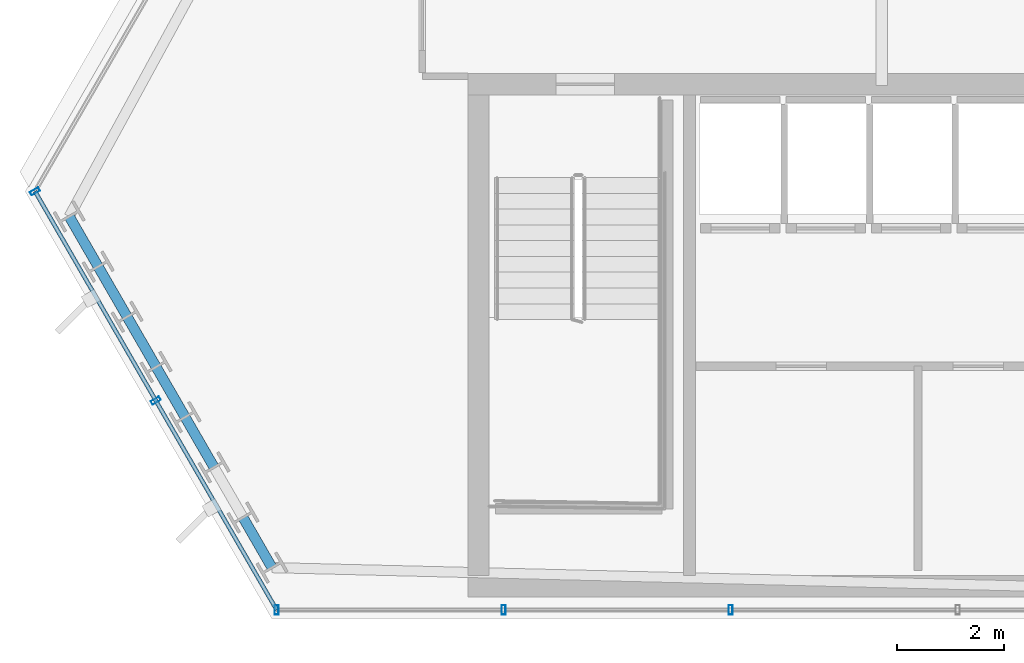
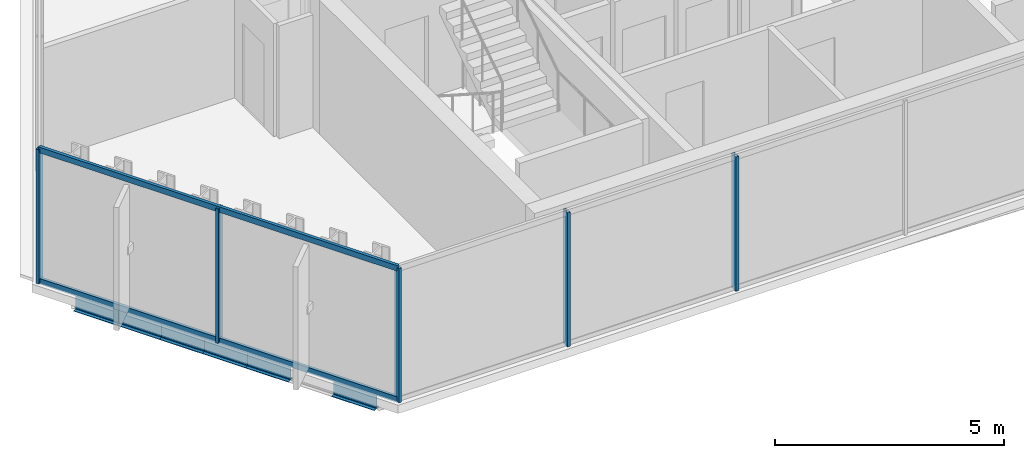
# One storey, part 2 of 34: 7 members, 6 beams, 2 elements without a shape of their own.
"""IFC4 building model written with IfcOpenShell, lengths in metres."""

from ifc_helpers import new_model, si_unit, direction, frame, origin, origin_2d, place, context, subcontext, project, spatial, hollow_rectangle, i_section, extrude, material, layer, layer_set, material_profile, profile_set, type_object, element, aggregate, save


model = new_model("IFC4")

# Units and contexts
model_context = context("Model", 3, precision=1e-05, world=origin(), true_north=direction((0.0, 1.0)))
body_context = subcontext(model_context, "Body", "Model", "MODEL_VIEW")
ifc_project = project(units=[si_unit("LENGTHUNIT", "METRE"), si_unit("AREAUNIT", "SQUARE_METRE"), si_unit("VOLUMEUNIT", "CUBIC_METRE"), si_unit("PLANEANGLEUNIT", "RADIAN"), si_unit("MASSUNIT", "GRAM", prefix="KILO")], contexts=[model_context])

# Site, building, storey
site_placement = place(None, origin())
site = spatial("IfcSite", under=ifc_project, at=site_placement, CompositionType="ELEMENT")
building_placement = place(site_placement, origin())
building = spatial("IfcBuilding", under=site, at=building_placement, Name="Ndaravel Arena Tower", CompositionType="ELEMENT")
storey_placement = place(building_placement, frame((0.0, 0.0, 191.60009765625)))
storey = spatial("IfcBuildingStorey", under=building, at=storey_placement, Name="L46", CompositionType="ELEMENT", Elevation=191.60009765625)

# Beams
ifc_material_1 = material(Name="Steel S355", Category="steel")
ifc_material_profile_1 = material_profile(ifc_material_1, i_section(OverallWidth=0.18994140625, OverallDepth=0.449951171875, WebThickness=0.009521484375, FlangeThickness=0.0146484375, FilletRadius=0.02099609375, at=origin_2d()), Name="IPE 450")
ifc_profile_set_1 = profile_set([ifc_material_profile_1], Name="Steel S355")
beam_type = type_object("IfcBeamType", Name="BM-SPAN-IPE450", PredefinedType="SPANDREL", material=ifc_profile_set_1)
for number, where, z_axis, x_axis, name in (
    (1, (18.989013671875, 12.5244140625, -0.445068359375), (0.499988774596, -0.866031884678, 0.0), (0.866031884678, 0.499988774596, 0.0), "L46 Perimeter Spandrel Beam SP-20"),
    (2, (19.53125, 11.585205078125, -0.445068359375), (0.499988774596, -0.866031884678, 0.0), (0.866031884678, 0.499988774596, 0.0), "L46 Perimeter Spandrel Beam SP-21"),
    (3, (20.073486328125, 10.64599609375, -0.445068359375), (0.499988774596, -0.866031884678, 0.0), (0.866031884678, 0.499988774596, 0.0), "L46 Perimeter Spandrel Beam SP-22"),
):
    element("IfcBeam", number, at=place(storey_placement, frame(where, z_axis=z_axis, x_axis=x_axis)), inside=storey, type_object=beam_type, Name=name, PredefinedType="SPANDREL", context=body_context, shape_type="SweptSolid", body=[
        extrude(i_section(OverallWidth=0.18994140625, OverallDepth=0.449951171875, WebThickness=0.009521484375, FlangeThickness=0.0146484375, FilletRadius=0.02099609375, at=origin_2d()), origin(), (0.0, 0.0, 1.0), 1.08447265625),
    ])
beam_placement = place(storey_placement, frame((20.61572265625, 9.706787109375, -0.445068359375), z_axis=(0.499891312606, -0.866088145388, 0.0), x_axis=(0.866088145388, 0.499891312606, 0.0)))
element("IfcBeam", 4, at=beam_placement, inside=storey, type_object=beam_type, Name="L46 Perimeter Spandrel Beam SP-23", PredefinedType="SPANDREL", context=body_context, shape_type="SweptSolid", body=[
    extrude(i_section(OverallWidth=0.18994140625, OverallDepth=0.449951171875, WebThickness=0.009521484375, FlangeThickness=0.0146484375, FilletRadius=0.02099609375, at=origin_2d()), origin(), (0.0, 0.0, 1.0), 1.084716796875),
])
for number, where, z_axis, x_axis, name in (
    (5, (21.157958984375, 8.767333984375, -0.445068359375), (0.499988774596, -0.866031884678, 0.0), (0.866031884678, 0.499988774596, 0.0), "L46 Perimeter Spandrel Beam SP-24"),
    (6, (22.24267578125, 6.888916015625, -0.445068359375), (0.499988774596, -0.866031884678, 0.0), (0.866031884678, 0.499988774596, 0.0), "L46 Perimeter Spandrel Beam SP-26"),
):
    element("IfcBeam", number, at=place(storey_placement, frame(where, z_axis=z_axis, x_axis=x_axis)), inside=storey, type_object=beam_type, Name=name, PredefinedType="SPANDREL", context=body_context, shape_type="SweptSolid", body=[
        extrude(i_section(OverallWidth=0.18994140625, OverallDepth=0.449951171875, WebThickness=0.009521484375, FlangeThickness=0.0146484375, FilletRadius=0.02099609375, at=origin_2d()), origin(), (0.0, 0.0, 1.0), 1.08447265625),
    ])

# Curtain wall, members
ifc_material_2 = material(Name="Aluminium", Category="aluminium")
ifc_layer_1 = layer(ifc_material_2, 0.179931640625)
ifc_layer_set_1 = layer_set([ifc_layer_1], Name="Aluminium")
curtain_wall_type_1 = type_object("IfcCurtainWallType", Name="CW-SYS-03", PredefinedType="NOTDEFINED", material=ifc_layer_set_1)
curtain_wall_1_placement = place(storey_placement, origin())
curtain_wall_1 = element("IfcCurtainWall", 7, at=curtain_wall_1_placement, inside=storey, type_object=curtain_wall_type_1, Name="L46 Faceted Crystal Curtain Wall CW-L46-E01", PredefinedType="NOTDEFINED")
ifc_material_3 = material(Name="Aluminium", Category="aluminium")
ifc_material_profile_2 = material_profile(ifc_material_3, hollow_rectangle(XDim=0.074951171875, YDim=0.179931640625, WallThickness=0.00390625, at=origin_2d()), Name="CW MULLION 75x180x4")
ifc_profile_set_2 = profile_set([ifc_material_profile_2], Name="Aluminium")
member_type_1 = type_object("IfcMemberType", Name="MEM-CW-MUL180", PredefinedType="MULLION", material=ifc_profile_set_2)
member_1_placement = place(storey_placement, frame((22.871337890625, 5.159912109375, 0.0), z_axis=(0.0, 0.0, 1.0), x_axis=(1.0, 0.0, 0.0)))
member_1 = element("IfcMember", 8, at=member_1_placement, type_object=member_type_1, Name="CW-L46-E01 Mullion 00", PredefinedType="MULLION", context=body_context, shape_type="SweptSolid", body=[
    extrude(hollow_rectangle(XDim=0.074951171875, YDim=0.179931640625, WallThickness=0.00390625, at=origin_2d()), origin(), (0.0, 0.0, 1.0), 3.579833984375),
])
member_2_placement = place(storey_placement, frame((27.1220703125, 5.159912109375, 0.0), z_axis=(0.0, 0.0, 1.0), x_axis=(1.0, 0.0, 0.0)))
member_2 = element("IfcMember", 9, at=member_2_placement, type_object=member_type_1, Name="CW-L46-E01 Mullion 01", PredefinedType="MULLION", context=body_context, shape_type="SweptSolid", body=[
    extrude(hollow_rectangle(XDim=0.074951171875, YDim=0.179931640625, WallThickness=0.00390625, at=origin_2d()), origin(), (0.0, 0.0, 1.0), 3.579833984375),
])
member_3_placement = place(storey_placement, frame((31.372802734375, 5.159912109375, 0.0), z_axis=(0.0, 0.0, 1.0), x_axis=(1.0, 0.0, 0.0)))
member_3 = element("IfcMember", 10, at=member_3_placement, type_object=member_type_1, Name="CW-L46-E01 Mullion 02", PredefinedType="MULLION", context=body_context, shape_type="SweptSolid", body=[
    extrude(hollow_rectangle(XDim=0.074951171875, YDim=0.179931640625, WallThickness=0.00390625, at=origin_2d()), origin(), (0.0, 0.0, 1.0), 3.579833984375),
])
aggregate(curtain_wall_1, [member_1, member_2, member_3])

ifc_material_4 = material(Name="Aluminium", Category="aluminium")
ifc_layer_2 = layer(ifc_material_4, 0.179931640625)
ifc_layer_set_2 = layer_set([ifc_layer_2], Name="Aluminium")
curtain_wall_type_2 = type_object("IfcCurtainWallType", Name="CW-SYS-02", PredefinedType="NOTDEFINED", material=ifc_layer_set_2)
curtain_wall_2_placement = place(storey_placement, origin())
curtain_wall_2 = element("IfcCurtainWall", 11, at=curtain_wall_2_placement, inside=storey, type_object=curtain_wall_type_2, Name="L46 Faceted Crystal Curtain Wall CW-L46-E06", PredefinedType="NOTDEFINED")
member_4_placement = place(storey_placement, frame((18.348388671875, 12.994140625, 0.0), z_axis=(0.0, 0.0, 1.0), x_axis=(0.5, -0.866025403784, 0.0)))
member_4 = element("IfcMember", 12, at=member_4_placement, type_object=member_type_1, Name="CW-L46-E06 Mullion 00", PredefinedType="MULLION", context=body_context, shape_type="SweptSolid", body=[
    extrude(hollow_rectangle(XDim=0.074951171875, YDim=0.179931640625, WallThickness=0.00390625, at=origin_2d()), origin(), (0.0, 0.0, 1.0), 3.579833984375),
])
member_5_placement = place(storey_placement, frame((20.60986328125, 9.076904296875, 0.0), z_axis=(0.0, 0.0, 1.0), x_axis=(0.5, -0.866025403784, 0.0)))
member_5 = element("IfcMember", 13, at=member_5_placement, type_object=member_type_1, Name="CW-L46-E06 Mullion 01", PredefinedType="MULLION", context=body_context, shape_type="SweptSolid", body=[
    extrude(hollow_rectangle(XDim=0.074951171875, YDim=0.179931640625, WallThickness=0.00390625, at=origin_2d()), origin(), (0.0, 0.0, 1.0), 3.579833984375),
])
ifc_material_5 = material(Name="Aluminium", Category="aluminium")
ifc_material_profile_3 = material_profile(ifc_material_5, hollow_rectangle(XDim=0.074951171875, YDim=0.14990234375, WallThickness=0.00390625, at=origin_2d()), Name="CW TRANSOM 75x150x4")
ifc_profile_set_3 = profile_set([ifc_material_profile_3], Name="Aluminium")
member_type_2 = type_object("IfcMemberType", Name="MEM-CW-TRN150", PredefinedType="USERDEFINED", material=ifc_profile_set_3)
member_6_placement = place(storey_placement, frame((18.348388671875, 12.994140625, 0.039794921875), z_axis=(0.49998800113, -0.866032331224, 0.0), x_axis=(0.866032331224, 0.49998800113, 0.0)))
member_6 = element("IfcMember", 14, at=member_6_placement, type_object=member_type_2, Name="CW-L46-E06 Transom 01", ObjectType="TRANSOM", PredefinedType="USERDEFINED", context=body_context, shape_type="SweptSolid", body=[
    extrude(hollow_rectangle(XDim=0.074951171875, YDim=0.14990234375, WallThickness=0.00390625, at=origin_2d()), origin(), (0.0, 0.0, 1.0), 9.046142578125),
])
member_7_placement = place(storey_placement, frame((18.348388671875, 12.994140625, 3.539794921875), z_axis=(0.49998800113, -0.866032331224, 0.0), x_axis=(0.866032331224, 0.49998800113, 0.0)))
member_7 = element("IfcMember", 15, at=member_7_placement, type_object=member_type_2, Name="CW-L46-E06 Transom 02", ObjectType="TRANSOM", PredefinedType="USERDEFINED", context=body_context, shape_type="SweptSolid", body=[
    extrude(hollow_rectangle(XDim=0.074951171875, YDim=0.14990234375, WallThickness=0.00390625, at=origin_2d()), origin(), (0.0, 0.0, 1.0), 9.046142578125),
])
aggregate(curtain_wall_2, [member_4, member_5, member_6, member_7])

save(model, "model.ifc")
